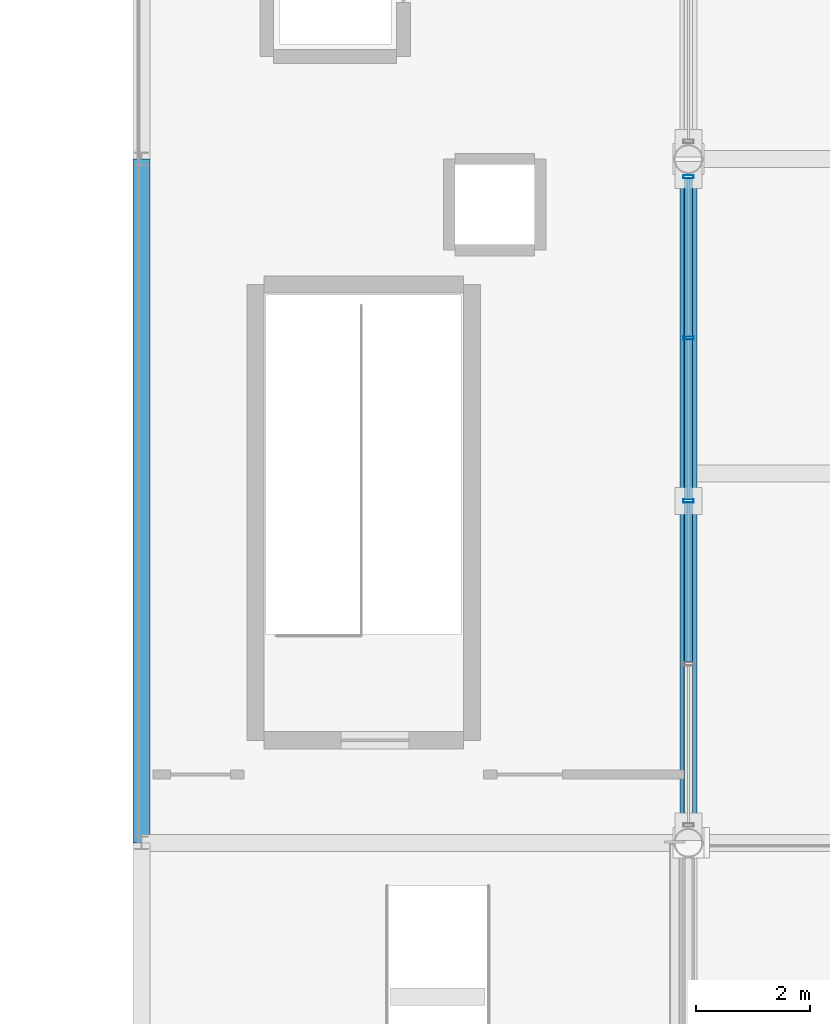
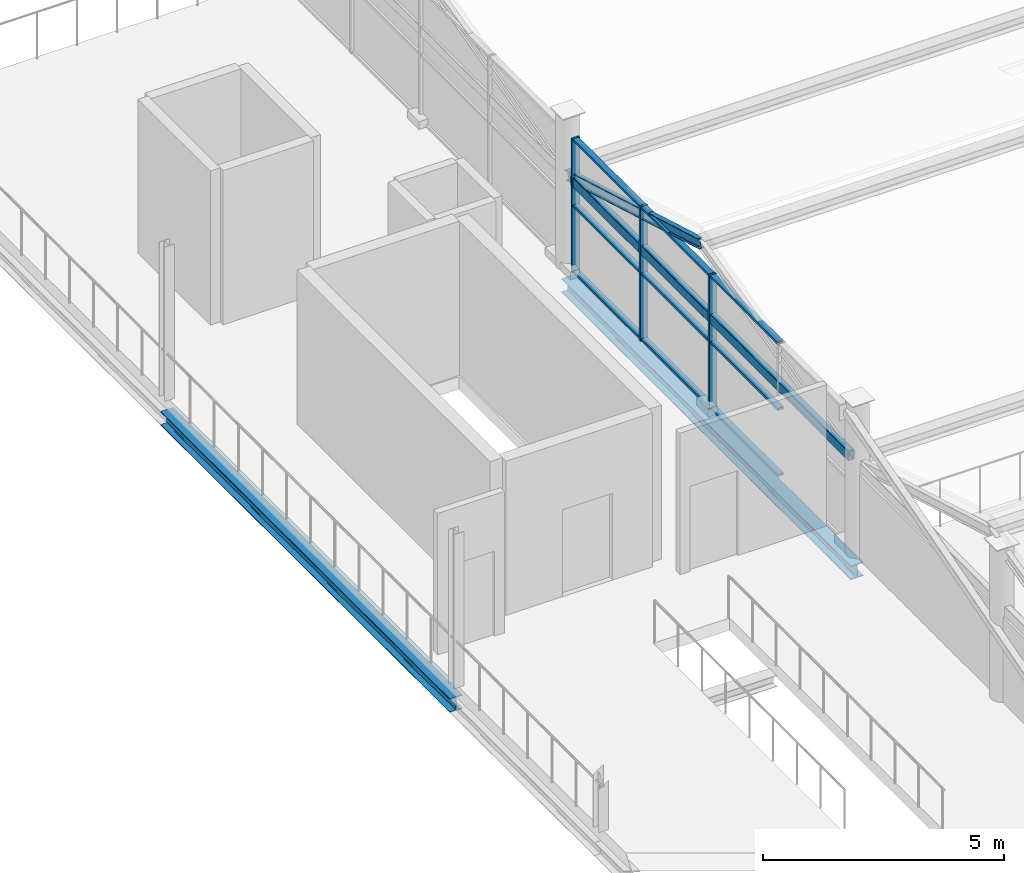
# One storey, part 39 of 117: 13 members, 3 beams, 1 element without a shape of its own.
"""IFC4 building model written with IfcOpenShell, lengths in metres."""

from ifc_helpers import new_model, si_unit, direction, frame, origin, origin_2d, place, context, subcontext, project, spatial, hollow_rectangle, i_section, extrude, material, material_profile, profile_set, type_object, element, aggregate, save


model = new_model("IFC4")

# Units and contexts
model_context = context("Model", 3, precision=1e-05, world=origin(), true_north=direction((0.0, 1.0)))
body_context = subcontext(model_context, "Body", "Model", "MODEL_VIEW")
ifc_project = project(units=[si_unit("LENGTHUNIT", "METRE"), si_unit("AREAUNIT", "SQUARE_METRE"), si_unit("VOLUMEUNIT", "CUBIC_METRE"), si_unit("PLANEANGLEUNIT", "RADIAN"), si_unit("MASSUNIT", "GRAM", prefix="KILO")], contexts=[model_context])

# Site, building, storey
site_placement = place(None, origin())
site = spatial("IfcSite", under=ifc_project, at=site_placement, CompositionType="ELEMENT")
building_placement = place(site_placement, origin())
building = spatial("IfcBuilding", under=site, at=building_placement, Name="Merenkruunu Market Hall", CompositionType="ELEMENT")
storey_placement = place(building_placement, frame((0.0, 0.0, 10.199951171875)))
storey = spatial("IfcBuildingStorey", under=building, at=storey_placement, Name="L02", CompositionType="ELEMENT", Elevation=10.199951171875)

# Curtain wall, members
ifc_material_1 = material(Name="Powder-coated aluminium", Category="aluminium")
curtain_wall_type = type_object("IfcCurtainWallType", Name="Glazed Curtain Wall CW13", PredefinedType="USERDEFINED", material=ifc_material_1)
curtain_wall_placement = place(storey_placement, origin())
curtain_wall = element("IfcCurtainWall", 1, at=curtain_wall_placement, inside=storey, type_object=curtain_wall_type, Name="CW-L02-CWM02-129", ObjectType="GLAZED_FACADE", PredefinedType="USERDEFINED")
ifc_material_profile_1 = material_profile(ifc_material_1, hollow_rectangle(XDim=0.06005859375, YDim=0.179931640625, WallThickness=0.00390625, at=origin_2d()), Name="ALU 60x180x4")
ifc_profile_set_1 = profile_set([ifc_material_profile_1], Name="Powder-coated aluminium")
member_type_1 = type_object("IfcMemberType", Name="Curtain Wall Mullion CWM02", PredefinedType="MULLION", material=ifc_profile_set_1)
member_1_placement = place(storey_placement, frame((57.60009765625, 57.60009765625, 0.0), z_axis=(0.0, 0.0, 1.0), x_axis=(0.0, 1.0, 0.0)))
member_1 = element("IfcMember", 2, at=member_1_placement, type_object=member_type_1, Name="CW13 mullion 3", PredefinedType="MULLION", context=body_context, shape_type="SweptSolid", body=[
    extrude(hollow_rectangle(XDim=0.06005859375, YDim=0.179931640625, WallThickness=0.00390625, at=origin_2d()), origin(), (0.0, 0.0, 1.0), 3.400146484375),
])
member_2_placement = place(storey_placement, frame((57.60009765625, 60.4599609375, 0.0), z_axis=(0.0, 0.0, 1.0), x_axis=(0.0, 1.0, 0.0)))
member_2 = element("IfcMember", 3, at=member_2_placement, type_object=member_type_1, Name="CW13 mullion 4", PredefinedType="MULLION", context=body_context, shape_type="SweptSolid", body=[
    extrude(hollow_rectangle(XDim=0.06005859375, YDim=0.179931640625, WallThickness=0.00390625, at=origin_2d()), origin(), (0.0, 0.0, 1.0), 3.400146484375),
])
member_3_placement = place(storey_placement, frame((57.60009765625, 63.2900390625, 0.0), z_axis=(0.0, 0.0, 1.0), x_axis=(0.0, 1.0, 0.0)))
member_3 = element("IfcMember", 4, at=member_3_placement, type_object=member_type_1, Name="CW13 mullion 5", PredefinedType="MULLION", context=body_context, shape_type="SweptSolid", body=[
    extrude(hollow_rectangle(XDim=0.06005859375, YDim=0.179931640625, WallThickness=0.00390625, at=origin_2d()), origin(), (0.0, 0.0, 1.0), 3.400146484375),
])
ifc_material_profile_2 = material_profile(ifc_material_1, hollow_rectangle(XDim=0.06005859375, YDim=0.139892578125, WallThickness=0.00390625, at=origin_2d()), Name="ALU 60x140x4")
ifc_profile_set_2 = profile_set([ifc_material_profile_2], Name="Powder-coated aluminium")
member_type_2 = type_object("IfcMemberType", Name="Curtain Wall Transom CWT02", PredefinedType="USERDEFINED", material=ifc_profile_set_2)
member_4_placement = place(storey_placement, frame((57.60009765625, 54.77001953125, 0.030029296875), z_axis=(0.0, 1.0, 0.0), x_axis=(0.0, 0.0, 1.0)))
member_4 = element("IfcMember", 5, at=member_4_placement, type_object=member_type_2, Name="CW13 transom 2.1", ObjectType="TRANSOM", PredefinedType="USERDEFINED", context=body_context, shape_type="SweptSolid", body=[
    extrude(hollow_rectangle(XDim=0.06005859375, YDim=0.139892578125, WallThickness=0.00390625, at=origin_2d()), origin(), (0.0, 0.0, 1.0), 2.800048828125),
])
member_5_placement = place(storey_placement, frame((57.60009765625, 54.77001953125, 1.699951171875), z_axis=(0.0, 1.0, 0.0), x_axis=(0.0, 0.0, 1.0)))
member_5 = element("IfcMember", 6, at=member_5_placement, type_object=member_type_2, Name="CW13 transom 2.2", ObjectType="TRANSOM", PredefinedType="USERDEFINED", context=body_context, shape_type="SweptSolid", body=[
    extrude(hollow_rectangle(XDim=0.06005859375, YDim=0.139892578125, WallThickness=0.00390625, at=origin_2d()), origin(), (0.0, 0.0, 1.0), 2.800048828125),
])
member_6_placement = place(storey_placement, frame((57.60009765625, 54.77001953125, 3.3701171875), z_axis=(0.0, 1.0, 0.0), x_axis=(0.0, 0.0, 1.0)))
member_6 = element("IfcMember", 7, at=member_6_placement, type_object=member_type_2, Name="CW13 transom 2.3", ObjectType="TRANSOM", PredefinedType="USERDEFINED", context=body_context, shape_type="SweptSolid", body=[
    extrude(hollow_rectangle(XDim=0.06005859375, YDim=0.139892578125, WallThickness=0.00390625, at=origin_2d()), origin(), (0.0, 0.0, 1.0), 2.800048828125),
])
member_7_placement = place(storey_placement, frame((57.60009765625, 57.6298828125, 0.030029296875), z_axis=(0.0, 1.0, 0.0), x_axis=(0.0, 0.0, 1.0)))
member_7 = element("IfcMember", 8, at=member_7_placement, type_object=member_type_2, Name="CW13 transom 3.1", ObjectType="TRANSOM", PredefinedType="USERDEFINED", context=body_context, shape_type="SweptSolid", body=[
    extrude(hollow_rectangle(XDim=0.06005859375, YDim=0.139892578125, WallThickness=0.00390625, at=origin_2d()), origin(), (0.0, 0.0, 1.0), 2.800048828125),
])
member_8_placement = place(storey_placement, frame((57.60009765625, 57.6298828125, 1.699951171875), z_axis=(0.0, 1.0, 0.0), x_axis=(0.0, 0.0, 1.0)))
member_8 = element("IfcMember", 9, at=member_8_placement, type_object=member_type_2, Name="CW13 transom 3.2", ObjectType="TRANSOM", PredefinedType="USERDEFINED", context=body_context, shape_type="SweptSolid", body=[
    extrude(hollow_rectangle(XDim=0.06005859375, YDim=0.139892578125, WallThickness=0.00390625, at=origin_2d()), origin(), (0.0, 0.0, 1.0), 2.800048828125),
])
member_9_placement = place(storey_placement, frame((57.60009765625, 57.6298828125, 3.3701171875), z_axis=(0.0, 1.0, 0.0), x_axis=(0.0, 0.0, 1.0)))
member_9 = element("IfcMember", 10, at=member_9_placement, type_object=member_type_2, Name="CW13 transom 3.3", ObjectType="TRANSOM", PredefinedType="USERDEFINED", context=body_context, shape_type="SweptSolid", body=[
    extrude(hollow_rectangle(XDim=0.06005859375, YDim=0.139892578125, WallThickness=0.00390625, at=origin_2d()), origin(), (0.0, 0.0, 1.0), 2.800048828125),
])
member_10_placement = place(storey_placement, frame((57.60009765625, 60.489990234375, 0.030029296875), z_axis=(0.0, 1.0, 0.0), x_axis=(0.0, 0.0, 1.0)))
member_10 = element("IfcMember", 11, at=member_10_placement, type_object=member_type_2, Name="CW13 transom 4.1", ObjectType="TRANSOM", PredefinedType="USERDEFINED", context=body_context, shape_type="SweptSolid", body=[
    extrude(hollow_rectangle(XDim=0.06005859375, YDim=0.139892578125, WallThickness=0.00390625, at=origin_2d()), origin(), (0.0, 0.0, 1.0), 2.77001953125),
])
member_11_placement = place(storey_placement, frame((57.60009765625, 60.489990234375, 1.699951171875), z_axis=(0.0, 1.0, 0.0), x_axis=(0.0, 0.0, 1.0)))
member_11 = element("IfcMember", 12, at=member_11_placement, type_object=member_type_2, Name="CW13 transom 4.2", ObjectType="TRANSOM", PredefinedType="USERDEFINED", context=body_context, shape_type="SweptSolid", body=[
    extrude(hollow_rectangle(XDim=0.06005859375, YDim=0.139892578125, WallThickness=0.00390625, at=origin_2d()), origin(), (0.0, 0.0, 1.0), 2.77001953125),
])
member_12_placement = place(storey_placement, frame((57.60009765625, 60.489990234375, 3.3701171875), z_axis=(0.0, 1.0, 0.0), x_axis=(0.0, 0.0, 1.0)))
member_12 = element("IfcMember", 13, at=member_12_placement, type_object=member_type_2, Name="CW13 transom 4.3", ObjectType="TRANSOM", PredefinedType="USERDEFINED", context=body_context, shape_type="SweptSolid", body=[
    extrude(hollow_rectangle(XDim=0.06005859375, YDim=0.139892578125, WallThickness=0.00390625, at=origin_2d()), origin(), (0.0, 0.0, 1.0), 2.77001953125),
])
aggregate(curtain_wall, [member_1, member_2, member_3, member_4, member_5, member_6, member_7, member_8, member_9, member_10, member_11, member_12])

# Beams
ifc_material_2 = material(Name="Steel S355J2", Category="steel")
ifc_material_profile_3 = material_profile(ifc_material_2, hollow_rectangle(XDim=0.14990234375, YDim=0.25, WallThickness=0.010009765625, InnerFilletRadius=0.010009765625, OuterFilletRadius=0.02001953125, at=origin_2d()), Name="RHS 250x150x10")
ifc_profile_set_3 = profile_set([ifc_material_profile_3], Name="Steel S355J2")
beam_type_1 = type_object("IfcBeamType", Name="Perimeter Spandrel Beam SP04", PredefinedType="SPANDREL", material=ifc_profile_set_3)
beam_placement = place(storey_placement, frame((57.60009765625, 51.85009765625, 2.295166015625), z_axis=(0.0, 1.0, 0.0), x_axis=(-1.0, 0.0, 0.0)))
element("IfcBeam", 14, at=beam_placement, inside=storey, type_object=beam_type_1, Name="BM-L02-SP04-1278", PredefinedType="SPANDREL", context=body_context, shape_type="SweptSolid", body=[
    extrude(hollow_rectangle(XDim=0.14990234375, YDim=0.25, WallThickness=0.010009765625, InnerFilletRadius=0.010009765625, OuterFilletRadius=0.02001953125, at=origin_2d()), origin(), (0.0, 0.0, 1.0), 11.5),
])
ifc_material_profile_4 = material_profile(ifc_material_2, i_section(OverallWidth=0.300048828125, OverallDepth=0.35009765625, WebThickness=0.010009765625, FlangeThickness=0.017578125, FilletRadius=0.027099609375, at=origin_2d()), Name="HEA 360")
ifc_profile_set_4 = profile_set([ifc_material_profile_4], Name="Steel S355J2")
beam_type_2 = type_object("IfcBeamType", Name="Primary Floor Girder B08", PredefinedType="BEAM", material=ifc_profile_set_4)
for number, where, z_axis, x_axis, name in (
    (15, (48.0, 51.60009765625, -0.48486328125), (0.0, 1.0, 0.0), (-1.0, 0.0, 0.0), "BM-L02-B08-0782"),
    (16, (57.60009765625, 51.60009765625, -0.48486328125), (0.0, 1.0, 0.0), (-1.0, 0.0, 0.0), "BM-L02-B08-0788"),
):
    element("IfcBeam", number, at=place(storey_placement, frame(where, z_axis=z_axis, x_axis=x_axis)), inside=storey, type_object=beam_type_2, Name=name, PredefinedType="BEAM", context=body_context, shape_type="SweptSolid", body=[
        extrude(i_section(OverallWidth=0.300048828125, OverallDepth=0.35009765625, WebThickness=0.010009765625, FlangeThickness=0.017578125, FilletRadius=0.027099609375, at=origin_2d()), origin(), (0.0, 0.0, 1.0), 12.0),
    ])

# Member
ifc_material_3 = material(Name="Steel S355ML", Category="steel")
ifc_material_profile_5 = material_profile(ifc_material_3, i_section(OverallWidth=0.1201171875, OverallDepth=0.239990234375, WebThickness=0.006103515625, FlangeThickness=0.009765625, FilletRadius=0.014892578125, at=origin_2d()), Name="IPE 240")
ifc_profile_set_5 = profile_set([ifc_material_profile_5], Name="Steel S355ML")
member_type_3 = type_object("IfcMemberType", Name="Roof Purlin Rafter PR02", PredefinedType="PURLIN", material=ifc_profile_set_5)
member_13_placement = place(storey_placement, frame((57.60009765625, 58.080078125, 3.880126953125), z_axis=(0.0, 0.960462085918, -0.27841081429), x_axis=(-1.0, 0.0, 0.0)))
element("IfcMember", 17, at=member_13_placement, inside=storey, type_object=member_type_3, Name="MEM-V4-SAWR-014", PredefinedType="PURLIN", context=body_context, shape_type="SweptSolid", body=[
    extrude(i_section(OverallWidth=0.1201171875, OverallDepth=0.239990234375, WebThickness=0.006103515625, FlangeThickness=0.009765625, FilletRadius=0.014892578125, at=origin_2d()), origin(), (0.0, 0.0, 1.0), 5.747314453125),
])

save(model, "model.ifc")
